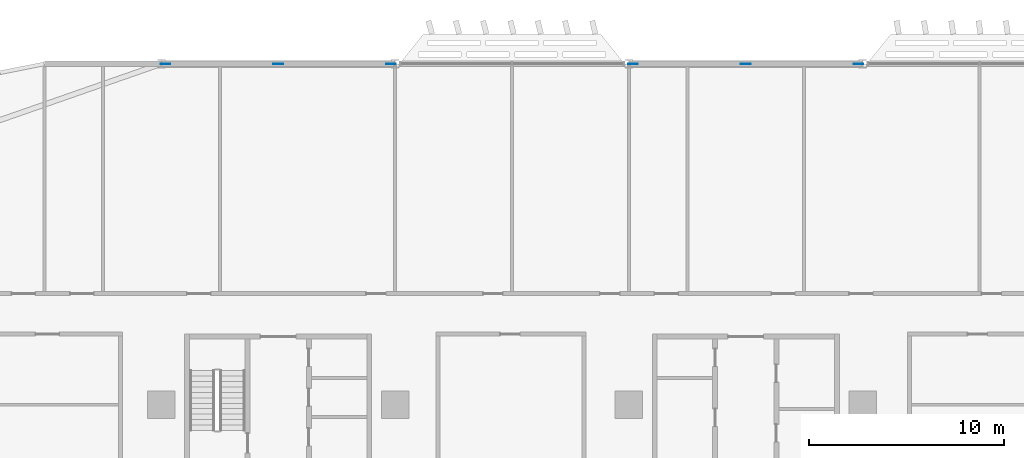
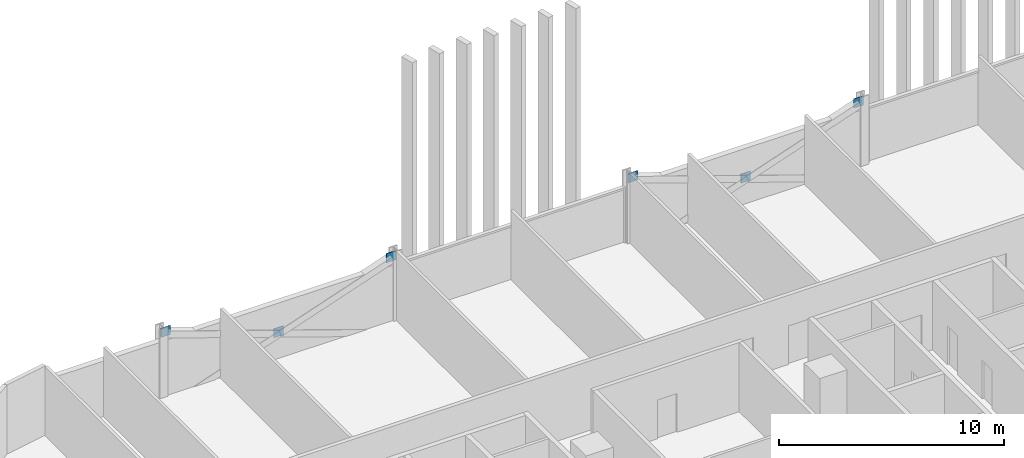
# One storey, part 20 of 31: 6 discrete accessories.
"""IFC4 building model written with IfcOpenShell, lengths in metres."""

from ifc_helpers import new_model, si_unit, direction, frame, origin, origin_2d, place, context, subcontext, project, spatial, rectangle, extrude, material, layer, layer_set, type_object, element, save


model = new_model("IFC4")

# Units and contexts
model_context = context("Model", 3, precision=1e-05, world=origin(), true_north=direction((0.0, 1.0)))
body_context = subcontext(model_context, "Body", "Model", "MODEL_VIEW")
ifc_project = project(units=[si_unit("LENGTHUNIT", "METRE"), si_unit("AREAUNIT", "SQUARE_METRE"), si_unit("VOLUMEUNIT", "CUBIC_METRE"), si_unit("PLANEANGLEUNIT", "RADIAN"), si_unit("MASSUNIT", "GRAM", prefix="KILO")], contexts=[model_context])

# Site, building, storey
site_placement = place(None, origin())
site = spatial("IfcSite", under=ifc_project, at=site_placement, CompositionType="ELEMENT")
building_placement = place(site_placement, origin())
building = spatial("IfcBuilding", under=site, at=building_placement, Name="Mahtab Terrace Research Tower", CompositionType="ELEMENT")
storey_placement = place(building_placement, frame((0.0, 0.0, 101.199951171875)))
storey = spatial("IfcBuildingStorey", under=building, at=storey_placement, Name="L23", CompositionType="ELEMENT", Elevation=101.199951171875)

# Discrete accessories
ifc_material = material(Name="Steel ASTM A992 Gr 50", Category="steel")
ifc_layer = layer(ifc_material, 0.030029296875)
ifc_layer_set = layer_set([ifc_layer], Name="Gusset plate 500x500x30")
discrete_accessory_type = type_object("IfcDiscreteAccessoryType", Name="Gusset plate 500x500x30", PredefinedType="USERDEFINED", material=ifc_layer_set)
for number, where, z_axis, x_axis, name in (
    (1, (-29.790283203125, 29.0, 3.131591796875), (0.0, 0.0, 1.0), (1.0, 0.0, 0.0), "Gusset plate"),
    (2, (-24.0, 29.0, 1.08154296875), (0.0, 0.0, 1.0), (1.0, 0.0, 0.0), "Gusset plate"),
    (3, (-18.209716796875, 29.0, 3.131591796875), (0.0, 0.0, 1.0), (1.0, 0.0, 0.0), "Gusset plate"),
    (4, (-5.790283203125, 29.0, 3.131591796875), (0.0, 0.0, 1.0), (1.0, 0.0, 0.0), "Gusset plate"),
    (5, (0.0, 29.0, 1.08154296875), (0.0, 0.0, 1.0), (1.0, 0.0, 0.0), "Gusset plate"),
    (6, (5.790283203125, 29.0, 3.131591796875), (0.0, 0.0, 1.0), (1.0, 0.0, 0.0), "Gusset plate"),
):
    element("IfcDiscreteAccessory", number, at=place(storey_placement, frame(where, z_axis=z_axis, x_axis=x_axis)), inside=storey, type_object=discrete_accessory_type, Name=name, ObjectType="GUSSET PLATE", PredefinedType="USERDEFINED", context=body_context, shape_type="SweptSolid", body=[
        extrude(rectangle(XDim=0.5, YDim=0.030029296875, at=origin_2d()), origin(), (0.0, 0.0, 1.0), 0.5),
    ])

save(model, "model.ifc")
